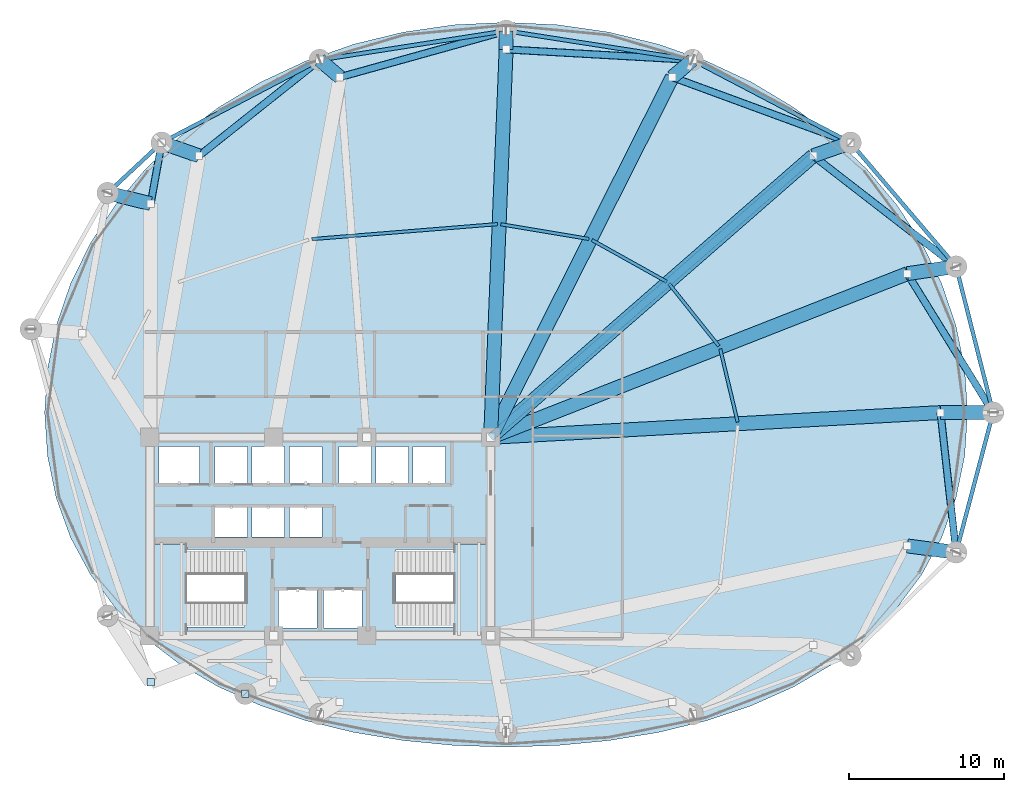
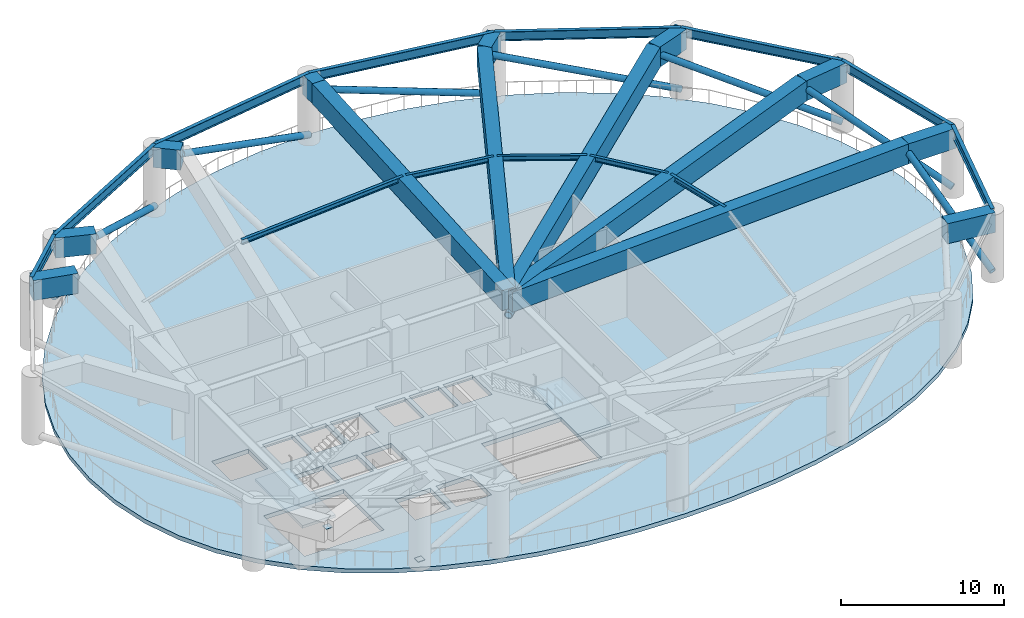
# One storey, part 2 of 9: 27 beams, 9 members, 3 slabs, 2 plates, 2 elements without a shape of their own.
"""IFC4 building model written with IfcOpenShell, lengths in metres."""

from ifc_helpers import new_model, si_unit, direction, frame, origin, origin_2d, place, context, subcontext, project, spatial, polyline, rectangle, hollow_circle, i_section, outline, extrude, material, layer, layer_set, material_profile, profile_set, type_object, element, aggregate, save


model = new_model("IFC4")

# Units and contexts
model_context = context("Model", 3, precision=1e-05, world=origin(), true_north=direction((0.0, 1.0)))
body_context = subcontext(model_context, "Body", "Model", "MODEL_VIEW")
ifc_project = project(units=[si_unit("LENGTHUNIT", "METRE"), si_unit("AREAUNIT", "SQUARE_METRE"), si_unit("VOLUMEUNIT", "CUBIC_METRE"), si_unit("PLANEANGLEUNIT", "RADIAN"), si_unit("MASSUNIT", "GRAM", prefix="KILO")], contexts=[model_context])

# Site, building, storey
site_placement = place(None, origin())
site = spatial("IfcSite", under=ifc_project, at=site_placement, CompositionType="ELEMENT")
building_placement = place(site_placement, origin())
building = spatial("IfcBuilding", under=site, at=building_placement, Name="Kazevale Care Tower and Concert Hall", CompositionType="ELEMENT")
storey_placement = place(building_placement, frame((0.0, 0.0, 92.39990234375)))
storey = spatial("IfcBuildingStorey", under=building, at=storey_placement, Name="L24", CompositionType="ELEMENT", Elevation=92.39990234375)

# Members
ifc_material_1 = material(Name="Steel ASTM A572 Gr 50", Category="steel")
ifc_material_profile_1 = material_profile(ifc_material_1, hollow_circle(Radius=0.228515625, WallThickness=0.028076171875, at=origin_2d()), Name="CHS457x28")
ifc_profile_set_1 = profile_set([ifc_material_profile_1], Name="Steel ASTM A572 Gr 50")
member_type_1 = type_object("IfcMemberType", Name="Belt Truss Diagonal CHS457x28", PredefinedType="BRACE", material=ifc_profile_set_1)
member_1_placement = place(storey_placement, frame((76.449951171875, 38.0, 0.400146484375), z_axis=(-0.489276874643, 0.792196441532, 0.364736806428), x_axis=(-0.850808045882, -0.525476611337, 0.0)))
element("IfcMember", 1, at=member_1_placement, inside=storey, type_object=member_type_1, Name="brace:L24:belt:01", PredefinedType="BRACE", context=body_context, shape_type="SweptSolid", body=[
    extrude(hollow_circle(Radius=0.228515625, WallThickness=0.028076171875, at=origin_2d()), origin(), (0.0, 0.0, 1.0), 11.322998046875),
])
member_2_placement = place(storey_placement, frame((74.06005859375, 47.429931640625, 0.400146484375), z_axis=(-0.745291609515, 0.577351620586, 0.333474921086), x_axis=(-0.612406392804, -0.790543110812, 0.0)))
element("IfcMember", 2, at=member_2_placement, inside=storey, type_object=member_type_1, Name="brace:L24:belt:02", PredefinedType="BRACE", context=body_context, shape_type="SweptSolid", body=[
    extrude(hollow_circle(Radius=0.228515625, WallThickness=0.028076171875, at=origin_2d()), origin(), (0.0, 0.0, 1.0), 12.38427734375),
])
member_3_placement = place(storey_placement, frame((67.239990234375, 55.429931640625, 0.400146484375), z_axis=(-0.889529512047, 0.326906105117, 0.319170245536), x_axis=(-0.344947771831, -0.938621880583, 0.0)))
element("IfcMember", 3, at=member_3_placement, inside=storey, type_object=member_type_1, Name="brace:L24:belt:03", PredefinedType="BRACE", context=body_context, shape_type="SweptSolid", body=[
    extrude(hollow_circle(Radius=0.228515625, WallThickness=0.028076171875, at=origin_2d()), origin(), (0.0, 0.0, 1.0), 12.939453125),
])
member_4_placement = place(storey_placement, frame((57.0400390625, 60.77001953125, 0.400146484375), z_axis=(-0.944554233126, 0.053341380876, 0.323993823659), x_axis=(-0.056382709564, -0.998409229756, 0.0)))
element("IfcMember", 4, at=member_4_placement, inside=storey, type_object=member_type_1, Name="brace:L24:belt:04", PredefinedType="BRACE", context=body_context, shape_type="SweptSolid", body=[
    extrude(hollow_circle(Radius=0.228515625, WallThickness=0.028076171875, at=origin_2d()), origin(), (0.0, 0.0, 1.0), 12.746826171875),
])
member_5_placement = place(storey_placement, frame((45.0, 62.64990234375, 0.400146484375), z_axis=(-0.903216034004, -0.25168798108, 0.347640555887), x_axis=(0.268430564069, -0.963299035748, 0.0)))
element("IfcMember", 5, at=member_5_placement, inside=storey, type_object=member_type_1, Name="brace:L24:belt:05", PredefinedType="BRACE", context=body_context, shape_type="SweptSolid", body=[
    extrude(hollow_circle(Radius=0.228515625, WallThickness=0.028076171875, at=origin_2d()), origin(), (0.0, 0.0, 1.0), 11.879638671875),
])
member_6_placement = place(storey_placement, frame((32.9599609375, 60.77001953125, 0.400146484375), z_axis=(-0.72311239822, -0.574582917904, 0.383357444161), x_axis=(0.622112257314, -0.782928054996, 0.0)))
element("IfcMember", 6, at=member_6_placement, inside=storey, type_object=member_type_1, Name="brace:L24:belt:06", PredefinedType="BRACE", context=body_context, shape_type="SweptSolid", body=[
    extrude(hollow_circle(Radius=0.228515625, WallThickness=0.028076171875, at=origin_2d()), origin(), (0.0, 0.0, 1.0), 10.77294921875),
])
member_7_placement = place(storey_placement, frame((22.760009765625, 55.429931640625, 0.400146484375), z_axis=(-0.123432992417, -0.684993683505, 0.718016678038), x_axis=(0.984149707528, -0.17733965482, 0.0)))
element("IfcMember", 7, at=member_7_placement, inside=storey, type_object=member_type_1, Name="brace:L24:belt:07", PredefinedType="BRACE", context=body_context, shape_type="SweptSolid", body=[
    extrude(hollow_circle(Radius=0.228515625, WallThickness=0.028076171875, at=origin_2d()), origin(), (0.0, 0.0, 1.0), 5.751708984375),
])
member_8_placement = place(storey_placement, frame((74.06005859375, 28.969970703125, 0.400146484375), z_axis=(-0.101194706557, 0.904734979799, 0.41378043416), x_axis=(-0.993802862974, -0.111156959043, 0.0)))
element("IfcMember", 8, at=member_8_placement, inside=storey, type_object=member_type_1, Name="brace:L24:belt:16", PredefinedType="BRACE", context=body_context, shape_type="SweptSolid", body=[
    extrude(hollow_circle(Radius=0.228515625, WallThickness=0.028076171875, at=origin_2d()), origin(), (0.0, 0.0, 1.0), 9.98095703125),
])
ifc_material_profile_2 = material_profile(ifc_material_1, hollow_circle(Radius=0.25390625, WallThickness=0.031982421875, at=origin_2d()), Name="CHS508x32")
ifc_profile_set_2 = profile_set([ifc_material_profile_2], Name="Steel ASTM A572 Gr 50")
member_type_2 = type_object("IfcMemberType", Name="Outrigger Diagonal CHS508x32", PredefinedType="BRACE", material=ifc_profile_set_2)
member_9_placement = place(storey_placement, frame((44.0, 36.39990234375, 3.10009765625), z_axis=(0.752397568921, 0.65668116933, 0.051650170665), x_axis=(-0.657558853149, 0.753403181998, 0.0)))
element("IfcMember", 9, at=member_9_placement, inside=storey, type_object=member_type_2, Name="brace:L24:outrig:1", PredefinedType="BRACE", context=body_context, shape_type="SweptSolid", body=[
    extrude(hollow_circle(Radius=0.25390625, WallThickness=0.031982421875, at=origin_2d()), origin(), (0.0, 0.0, 1.0), 27.684814453125),
])

# Beams
ifc_material_2 = material(Name="Concrete C60", Category="concrete")
ifc_material_profile_3 = material_profile(ifc_material_2, rectangle(XDim=0.89990234375, YDim=1.5, at=origin_2d()), Name="RC-TG900x1500")
ifc_profile_set_3 = profile_set([ifc_material_profile_3], Name="Concrete C60")
beam_type_1 = type_object("IfcBeamType", Name="Podium Transfer Girder RC900x1500", PredefinedType="BEAM", material=ifc_profile_set_3)
beam_1_placement = place(storey_placement, frame((44.0, 36.39990234375, 4.330078125), z_axis=(0.998486500016, 0.054997357076, 0.0), x_axis=(-0.054997357076, 0.998486500016, 0.0)))
element("IfcBeam", 10, at=beam_1_placement, inside=storey, type_object=beam_type_1, Name="beam:L24:ztg_in:01", PredefinedType="BEAM", context=body_context, shape_type="SweptSolid", body=[
    extrude(rectangle(XDim=0.89990234375, YDim=1.5, at=origin_2d()), origin(), (0.0, 0.0, 1.0), 29.093994140625),
])
beam_2_placement = place(storey_placement, frame((73.050048828125, 38.0, 4.330078125), z_axis=(1.0, 0.0, 0.0), x_axis=(0.0, 1.0, 0.0)))
element("IfcBeam", 11, at=beam_2_placement, inside=storey, type_object=beam_type_1, Name="beam:L24:ztg_out:01", PredefinedType="BEAM", context=body_context, shape_type="SweptSolid", body=[
    extrude(rectangle(XDim=0.89990234375, YDim=1.5, at=origin_2d()), origin(), (0.0, 0.0, 1.0), 3.39990234375),
])
beam_3_placement = place(storey_placement, frame((44.0, 36.39990234375, 4.330078125), z_axis=(0.930771301513, 0.36560194786, 0.0), x_axis=(-0.36560194786, 0.930771301513, 0.0)))
element("IfcBeam", 12, at=beam_3_placement, inside=storey, type_object=beam_type_1, Name="beam:L24:ztg_in:02", PredefinedType="BEAM", context=body_context, shape_type="SweptSolid", body=[
    extrude(rectangle(XDim=0.89990234375, YDim=1.5, at=origin_2d()), origin(), (0.0, 0.0, 1.0), 28.911376953125),
])
beam_4_placement = place(storey_placement, frame((70.909912109375, 46.969970703125, 4.330078125), z_axis=(0.989507642104, 0.144480539233, 0.0), x_axis=(-0.144480539233, 0.989507642104, 0.0)))
element("IfcBeam", 13, at=beam_4_placement, inside=storey, type_object=beam_type_1, Name="beam:L24:ztg_out:02", PredefinedType="BEAM", context=body_context, shape_type="SweptSolid", body=[
    extrude(rectangle(XDim=0.89990234375, YDim=1.5, at=origin_2d()), origin(), (0.0, 0.0, 1.0), 3.18359375),
])
beam_5_placement = place(storey_placement, frame((44.0, 36.39990234375, 4.330078125), z_axis=(0.753403181998, 0.657558853149, 0.0), x_axis=(-0.657558853149, 0.753403181998, 0.0)))
element("IfcBeam", 14, at=beam_5_placement, inside=storey, type_object=beam_type_1, Name="beam:L24:ztg_in:03", PredefinedType="BEAM", context=body_context, shape_type="SweptSolid", body=[
    extrude(rectangle(XDim=0.89990234375, YDim=1.5, at=origin_2d()), origin(), (0.0, 0.0, 1.0), 27.64794921875),
])
beam_6_placement = place(storey_placement, frame((64.830078125, 54.580078125, 4.330078125), z_axis=(0.943076728869, 0.332575229784, 0.0), x_axis=(-0.332575229784, 0.943076728869, 0.0)))
element("IfcBeam", 15, at=beam_6_placement, inside=storey, type_object=beam_type_1, Name="beam:L24:ztg_out:03", PredefinedType="BEAM", context=body_context, shape_type="SweptSolid", body=[
    extrude(rectangle(XDim=0.89990234375, YDim=1.5, at=origin_2d()), origin(), (0.0, 0.0, 1.0), 2.555419921875),
])
beam_7_placement = place(storey_placement, frame((44.0, 36.39990234375, 4.330078125), z_axis=(0.450281187568, 0.892886808124, 0.0), x_axis=(-0.892886808124, 0.450281187568, 0.0)))
element("IfcBeam", 16, at=beam_7_placement, inside=storey, type_object=beam_type_1, Name="beam:L24:ztg_in:04", PredefinedType="BEAM", context=body_context, shape_type="SweptSolid", body=[
    extrude(rectangle(XDim=0.89990234375, YDim=1.5, at=origin_2d()), origin(), (0.0, 0.0, 1.0), 26.05029296875),
])
beam_8_placement = place(storey_placement, frame((55.72998046875, 59.659912109375, 4.330078125), z_axis=(0.762927691331, 0.646483826403, 0.0), x_axis=(-0.646483826403, 0.762927691331, 0.0)))
element("IfcBeam", 17, at=beam_8_placement, inside=storey, type_object=beam_type_1, Name="beam:L24:ztg_out:04", PredefinedType="BEAM", context=body_context, shape_type="SweptSolid", body=[
    extrude(rectangle(XDim=0.89990234375, YDim=1.5, at=origin_2d()), origin(), (0.0, 0.0, 1.0), 1.717041015625),
])
beam_9_placement = place(storey_placement, frame((44.0, 36.39990234375, 4.330078125), z_axis=(0.039888311255, 0.99920414462, 0.0), x_axis=(-0.99920414462, 0.039888311255, 0.0)))
element("IfcBeam", 18, at=beam_9_placement, inside=storey, type_object=beam_type_1, Name="beam:L24:ztg_in:05", PredefinedType="BEAM", context=body_context, shape_type="SweptSolid", body=[
    extrude(rectangle(XDim=0.89990234375, YDim=1.5, at=origin_2d()), origin(), (0.0, 0.0, 1.0), 25.070068359375),
])
beam_10_placement = place(storey_placement, frame((45.0, 61.449951171875, 4.330078125), z_axis=(0.0, 1.0, 0.0), x_axis=(-1.0, 0.0, 0.0)))
element("IfcBeam", 19, at=beam_10_placement, inside=storey, type_object=beam_type_1, Name="beam:L24:ztg_out:05", PredefinedType="BEAM", context=body_context, shape_type="SweptSolid", body=[
    extrude(rectangle(XDim=0.89990234375, YDim=1.5, at=origin_2d()), origin(), (0.0, 0.0, 1.0), 1.199951171875),
])
beam_11_placement = place(storey_placement, frame((34.27001953125, 59.659912109375, 4.330078125), z_axis=(-0.762927691331, 0.646483826403, 0.0), x_axis=(-0.646483826403, -0.762927691331, 0.0)))
element("IfcBeam", 20, at=beam_11_placement, inside=storey, type_object=beam_type_1, Name="beam:L24:ztg_out:06", PredefinedType="BEAM", context=body_context, shape_type="SweptSolid", body=[
    extrude(rectangle(XDim=0.89990234375, YDim=1.5, at=origin_2d()), origin(), (0.0, 0.0, 1.0), 1.717041015625),
])
beam_12_placement = place(storey_placement, frame((25.169921875, 54.580078125, 4.330078125), z_axis=(-0.943076728869, 0.332575229784, 0.0), x_axis=(-0.332575229784, -0.943076728869, 0.0)))
element("IfcBeam", 21, at=beam_12_placement, inside=storey, type_object=beam_type_1, Name="beam:L24:ztg_out:07", PredefinedType="BEAM", context=body_context, shape_type="SweptSolid", body=[
    extrude(rectangle(XDim=0.89990234375, YDim=1.5, at=origin_2d()), origin(), (0.0, 0.0, 1.0), 2.555419921875),
])
beam_13_placement = place(storey_placement, frame((22.050048828125, 51.489990234375, 4.330078125), z_axis=(-0.970557213583, 0.240870702168, 0.0), x_axis=(-0.240870702168, -0.970557213583, 0.0)))
element("IfcBeam", 22, at=beam_13_placement, inside=storey, type_object=beam_type_1, Name="beam:L24:ztg_out:08", PredefinedType="BEAM", context=body_context, shape_type="SweptSolid", body=[
    extrude(rectangle(XDim=0.89990234375, YDim=1.5, at=origin_2d()), origin(), (0.0, 0.0, 1.0), 2.8642578125),
])
beam_14_placement = place(storey_placement, frame((70.909912109375, 29.389892578125, 4.330078125), z_axis=(0.99123192582, -0.132133528049, 0.0), x_axis=(0.132133528049, 0.99123192582, 0.0)))
element("IfcBeam", 23, at=beam_14_placement, inside=storey, type_object=beam_type_1, Name="beam:L24:ztg_out:16", PredefinedType="BEAM", context=body_context, shape_type="SweptSolid", body=[
    extrude(rectangle(XDim=0.89990234375, YDim=1.5, at=origin_2d()), origin(), (0.0, 0.0, 1.0), 3.177978515625),
])
ifc_material_profile_4 = material_profile(ifc_material_1, i_section(OverallWidth=0.205078125, OverallDepth=0.35400390625, WebThickness=0.009521484375, FlangeThickness=0.016845703125, at=origin_2d()), Name="W360x79")
ifc_profile_set_4 = profile_set([ifc_material_profile_4], Name="Steel ASTM A572 Gr 50")
beam_type_2 = type_object("IfcBeamType", Name="Secondary Floor Joist W360x79", PredefinedType="JOIST", material=ifc_profile_set_4)
beam_15_placement = place(storey_placement, frame((59.952880859375, 37.382080078125, 4.903076171875), z_axis=(-0.232005223279, 0.972714540023, 0.0), x_axis=(-0.972714540023, -0.232005223279, 0.0)))
element("IfcBeam", 24, at=beam_15_placement, inside=storey, type_object=beam_type_2, Name="beam:L24:joist:01", PredefinedType="JOIST", context=body_context, shape_type="SweptSolid", body=[
    extrude(i_section(OverallWidth=0.205078125, OverallDepth=0.35400390625, WebThickness=0.009521484375, FlangeThickness=0.016845703125, at=origin_2d()), origin(), (0.0, 0.0, 1.0), 4.861572265625),
])
beam_16_placement = place(storey_placement, frame((58.735107421875, 42.2958984375, 4.903076171875), z_axis=(-0.624261115922, 0.781215757104, 0.0), x_axis=(-0.781215757104, -0.624261115922, 0.0)))
element("IfcBeam", 25, at=beam_16_placement, inside=storey, type_object=beam_type_2, Name="beam:L24:joist:02", PredefinedType="JOIST", context=body_context, shape_type="SweptSolid", body=[
    extrude(i_section(OverallWidth=0.205078125, OverallDepth=0.35400390625, WebThickness=0.009521484375, FlangeThickness=0.016845703125, at=origin_2d()), origin(), (0.0, 0.0, 1.0), 5.147216796875),
])
beam_17_placement = place(storey_placement, frame((55.364990234375, 46.449951171875, 4.903076171875), z_axis=(-0.873137755824, 0.487473547338, 0.0), x_axis=(-0.487473547338, -0.873137755824, 0.0)))
element("IfcBeam", 26, at=beam_17_placement, inside=storey, type_object=beam_type_2, Name="beam:L24:joist:03", PredefinedType="JOIST", context=body_context, shape_type="SweptSolid", body=[
    extrude(i_section(OverallWidth=0.205078125, OverallDepth=0.35400390625, WebThickness=0.009521484375, FlangeThickness=0.016845703125, at=origin_2d()), origin(), (0.0, 0.0, 1.0), 5.522705078125),
])
beam_18_placement = place(storey_placement, frame((50.347900390625, 49.2099609375, 4.903076171875), z_axis=(-0.986366476547, 0.164563586324, 0.0), x_axis=(-0.164563586324, -0.986366476547, 0.0)))
element("IfcBeam", 27, at=beam_18_placement, inside=storey, type_object=beam_type_2, Name="beam:L24:joist:04", PredefinedType="JOIST", context=body_context, shape_type="SweptSolid", body=[
    extrude(i_section(OverallWidth=0.205078125, OverallDepth=0.35400390625, WebThickness=0.009521484375, FlangeThickness=0.016845703125, at=origin_2d()), origin(), (0.0, 0.0, 1.0), 5.7724609375),
])
beam_19_placement = place(storey_placement, frame((44.445068359375, 50.1689453125, 4.903076171875), z_axis=(-0.996757920635, -0.080458981175, 0.0), x_axis=(0.080458981175, -0.996757920635, 0.0)))
element("IfcBeam", 28, at=beam_19_placement, inside=storey, type_object=beam_type_2, Name="beam:L24:joist:05", PredefinedType="JOIST", context=body_context, shape_type="SweptSolid", body=[
    extrude(i_section(OverallWidth=0.205078125, OverallDepth=0.35400390625, WebThickness=0.009521484375, FlangeThickness=0.016845703125, at=origin_2d()), origin(), (0.0, 0.0, 1.0), 12.03125),
])
ifc_material_profile_5 = material_profile(ifc_material_1, i_section(OverallWidth=0.256103515625, OverallDepth=0.693115234375, WebThickness=0.014404296875, FlangeThickness=0.023681640625, at=origin_2d()), Name="W690x170")
ifc_profile_set_5 = profile_set([ifc_material_profile_5], Name="Steel ASTM A572 Gr 50")
beam_type_3 = type_object("IfcBeamType", Name="Waist Ring Beam W690x170", PredefinedType="BEAM", material=ifc_profile_set_5)
beam_20_placement = place(storey_placement, frame((76.449951171875, 38.0, 4.733642578125), z_axis=(-0.245669948409, 0.969353535326, 0.0), x_axis=(-0.969353535326, -0.245669948409, 0.0)))
element("IfcBeam", 29, at=beam_20_placement, inside=storey, type_object=beam_type_3, Name="beam:L24:ring:01", PredefinedType="BEAM", context=body_context, shape_type="SweptSolid", body=[
    extrude(i_section(OverallWidth=0.256103515625, OverallDepth=0.693115234375, WebThickness=0.014404296875, FlangeThickness=0.023681640625, at=origin_2d()), origin(), (0.0, 0.0, 1.0), 9.72802734375),
])
beam_21_placement = place(storey_placement, frame((74.06005859375, 47.429931640625, 4.733642578125), z_axis=(-0.648756004283, 0.760996482848, 0.0), x_axis=(-0.760996482848, -0.648756004283, 0.0)))
element("IfcBeam", 30, at=beam_21_placement, inside=storey, type_object=beam_type_3, Name="beam:L24:ring:02", PredefinedType="BEAM", context=body_context, shape_type="SweptSolid", body=[
    extrude(i_section(OverallWidth=0.256103515625, OverallDepth=0.693115234375, WebThickness=0.014404296875, FlangeThickness=0.023681640625, at=origin_2d()), origin(), (0.0, 0.0, 1.0), 10.512451171875),
])
beam_22_placement = place(storey_placement, frame((67.239990234375, 55.429931640625, 4.733642578125), z_axis=(-0.885929466679, 0.463819986708, 0.0), x_axis=(-0.463819986708, -0.885929466679, 0.0)))
element("IfcBeam", 31, at=beam_22_placement, inside=storey, type_object=beam_type_3, Name="beam:L24:ring:03", PredefinedType="BEAM", context=body_context, shape_type="SweptSolid", body=[
    extrude(i_section(OverallWidth=0.256103515625, OverallDepth=0.693115234375, WebThickness=0.014404296875, FlangeThickness=0.023681640625, at=origin_2d()), origin(), (0.0, 0.0, 1.0), 11.51318359375),
])
for number, where, z_axis, x_axis, name in (
    (32, (57.0400390625, 60.77001953125, 4.733642578125), (-0.988029216561, 0.154266870134, 0.0), (-0.154266870134, -0.988029216561, 0.0), "beam:L24:ring:04"),
    (33, (45.0, 62.64990234375, 4.733642578125), (-0.988029216561, -0.154266870134, 0.0), (0.154266870134, -0.988029216561, 0.0), "beam:L24:ring:05"),
):
    element("IfcBeam", number, at=place(storey_placement, frame(where, z_axis=z_axis, x_axis=x_axis)), inside=storey, type_object=beam_type_3, Name=name, PredefinedType="BEAM", context=body_context, shape_type="SweptSolid", body=[
        extrude(i_section(OverallWidth=0.256103515625, OverallDepth=0.693115234375, WebThickness=0.014404296875, FlangeThickness=0.023681640625, at=origin_2d()), origin(), (0.0, 0.0, 1.0), 12.18603515625),
    ])
beam_23_placement = place(storey_placement, frame((32.9599609375, 60.77001953125, 4.733642578125), z_axis=(-0.885929466679, -0.463819986708, 0.0), x_axis=(0.463819986708, -0.885929466679, 0.0)))
element("IfcBeam", 34, at=beam_23_placement, inside=storey, type_object=beam_type_3, Name="beam:L24:ring:06", PredefinedType="BEAM", context=body_context, shape_type="SweptSolid", body=[
    extrude(i_section(OverallWidth=0.256103515625, OverallDepth=0.693115234375, WebThickness=0.014404296875, FlangeThickness=0.023681640625, at=origin_2d()), origin(), (0.0, 0.0, 1.0), 11.51318359375),
])
beam_24_placement = place(storey_placement, frame((22.760009765625, 55.429931640625, 4.733642578125), z_axis=(-0.731820896228, -0.681497010884, 0.0), x_axis=(0.681497010884, -0.731820896228, 0.0)))
element("IfcBeam", 35, at=beam_24_placement, inside=storey, type_object=beam_type_3, Name="beam:L24:ring:07", PredefinedType="BEAM", context=body_context, shape_type="SweptSolid", body=[
    extrude(i_section(OverallWidth=0.256103515625, OverallDepth=0.693115234375, WebThickness=0.014404296875, FlangeThickness=0.023681640625, at=origin_2d()), origin(), (0.0, 0.0, 1.0), 4.768798828125),
])
beam_25_placement = place(storey_placement, frame((74.06005859375, 28.969970703125, 4.733642578125), z_axis=(0.255851611973, 0.966716066201, 0.0), x_axis=(-0.966716066201, 0.255851611973, 0.0)))
element("IfcBeam", 36, at=beam_25_placement, inside=storey, type_object=beam_type_3, Name="beam:L24:ring:16", PredefinedType="BEAM", context=body_context, shape_type="SweptSolid", body=[
    extrude(i_section(OverallWidth=0.256103515625, OverallDepth=0.693115234375, WebThickness=0.014404296875, FlangeThickness=0.023681640625, at=origin_2d()), origin(), (0.0, 0.0, 1.0), 9.3408203125),
])

# Plates
ifc_layer_1 = layer(ifc_material_1, 0.02490234375)
ifc_layer_set_1 = layer_set([ifc_layer_1], Name="Steel ASTM A572 Gr 50")
plate_type = type_object("IfcPlateType", Name="Hollow Section End Cap Plate 25mm", PredefinedType="USERDEFINED", material=ifc_layer_set_1)
for number, where, z_axis, x_axis, name in (
    (37, (22.050048828125, 20.60009765625, 4.517578125), (0.0, 0.0, 1.0), (1.0, 0.0, 0.0), "brace:L24:belt:09:cap1"),
    (38, (28.14990234375, 19.85009765625, 0.3876953125), (0.0, 0.0, 1.0), (1.0, 0.0, 0.0), "brace:L24:belt:11:cap0"),
):
    element("IfcPlate", number, at=place(storey_placement, frame(where, z_axis=z_axis, x_axis=x_axis)), inside=storey, type_object=plate_type, Name=name, ObjectType="END_CAP_PLATE", PredefinedType="USERDEFINED", context=body_context, shape_type="SweptSolid", body=[
        extrude(rectangle(XDim=0.47998046875, YDim=0.47998046875, at=origin_2d()), origin(), (0.0, 0.0, 1.0), 0.02490234375),
    ])

# Stair, slab
ifc_material_3 = material(Name="Concrete C40", Category="concrete")
stair_type = type_object("IfcStairType", Name="Exit Stair Assembly ST1-W", PredefinedType="HALF_TURN_STAIR", material=ifc_material_3)
stair_1_placement = place(storey_placement, origin())
stair_1 = element("IfcStair", 39, at=stair_1_placement, inside=storey, type_object=stair_type, Name="stair:L24:ST1", PredefinedType="HALF_TURN_STAIR")
ifc_layer_2 = layer(ifc_material_3, 0.199951171875)
ifc_layer_set_2 = layer_set([ifc_layer_2], Name="Concrete C40")
slab_type_1 = type_object("IfcSlabType", Name="Stair Half-Landing Slab ST1-W", PredefinedType="LANDING", material=ifc_layer_set_2)
slab_1_placement = place(storey_placement, frame((0.0, 0.0, 2.5)))
slab_1 = element("IfcSlab", 40, at=slab_1_placement, type_object=slab_type_1, Name="ST1-W landing 1", PredefinedType="LANDING", context=body_context, shape_type="SweptSolid", body=[
    extrude(outline(polyline([(22.050048828125, 23.699951171875), (24.409912109375, 23.699951171875), (24.409912109375, 29.5), (22.050048828125, 29.5), (22.050048828125, 23.699951171875)])), origin(), (0.0, 0.0, 1.0), 0.2001953125),
])
aggregate(stair_1, [slab_1])

stair_2_placement = place(storey_placement, origin())
stair_2 = element("IfcStair", 41, at=stair_2_placement, inside=storey, type_object=stair_type, Name="stair:L24:ST2", PredefinedType="HALF_TURN_STAIR")
slab_2_placement = place(storey_placement, frame((0.0, 0.0, 2.5)))
slab_2 = element("IfcSlab", 42, at=slab_2_placement, type_object=slab_type_1, Name="ST1-W landing 1", PredefinedType="LANDING", context=body_context, shape_type="SweptSolid", body=[
    extrude(outline(polyline([(41.590087890625, 23.699951171875), (43.949951171875, 23.699951171875), (43.949951171875, 29.5), (41.590087890625, 29.5), (41.590087890625, 23.699951171875)])), origin(), (0.0, 0.0, 1.0), 0.2001953125),
])
aggregate(stair_2, [slab_2])

# Slab
ifc_material_4 = material(Name="Concrete C50", Category="concrete")
ifc_layer_3 = layer(ifc_material_4, 0.320068359375)
ifc_layer_set_3 = layer_set([ifc_layer_3], Name="Concrete C50")
slab_type_2 = type_object("IfcSlabType", Name="Transfer & Refuge Floor Slab 320", PredefinedType="FLOOR", material=ifc_layer_set_3)
slab_3_placement = place(storey_placement, frame((0.0, 0.0, -0.31982421875)))
element("IfcSlab", 43, at=slab_3_placement, inside=storey, type_object=slab_type_2, Name="slab:L24:tw:1", PredefinedType="FLOOR", context=body_context, shape_type="SweptSolid", body=[
    extrude(outline(polyline([(74.800048828125, 38.0), (74.612548828125, 40.821533203125), (74.052978515625, 43.607421875), (73.127685546875, 46.322998046875), (71.848876953125, 48.933837890625), (70.232421875, 51.4072265625), (68.298583984375, 53.7119140625), (66.07177734375, 55.819091796875), (63.580078125, 57.7021484375), (60.8544921875, 59.33740234375), (57.9296875, 60.704345703125), (54.84228515625, 61.785888671875), (51.631103515625, 62.568115234375), (48.33642578125, 63.04150390625), (45.0, 63.199951171875), (41.66357421875, 63.04150390625), (38.368896484375, 62.568115234375), (35.15771484375, 61.785888671875), (32.0703125, 60.704345703125), (29.1455078125, 59.33740234375), (26.419921875, 57.7021484375), (23.92822265625, 55.819091796875), (21.701416015625, 53.7119140625), (19.767578125, 51.4072265625), (18.151123046875, 48.933837890625), (16.872314453125, 46.322998046875), (15.947021484375, 43.607421875), (15.387451171875, 40.821533203125), (15.199951171875, 38.0), (15.387451171875, 35.197265625), (15.947021484375, 32.490234375), (16.872314453125, 29.92919921875), (18.151123046875, 27.551513671875), (19.767578125, 25.384521484375), (21.701416015625, 23.446533203125), (23.92822265625, 21.747802734375), (26.419921875, 20.2919921875), (29.1455078125, 19.077392578125), (32.0703125, 18.098388671875), (35.15771484375, 17.34814453125), (38.368896484375, 16.819091796875), (41.66357421875, 16.50439453125), (45.0, 16.39990234375), (48.33642578125, 16.50439453125), (51.631103515625, 16.819091796875), (54.84228515625, 17.34814453125), (57.9296875, 18.098388671875), (60.8544921875, 19.077392578125), (63.580078125, 20.2919921875), (66.07177734375, 21.747802734375), (68.298583984375, 23.446533203125), (70.232421875, 25.384521484375), (71.848876953125, 27.551513671875), (73.127685546875, 29.92919921875), (74.052978515625, 32.490234375), (74.612548828125, 35.197265625), (74.800048828125, 38.0)]), holes=[polyline([(22.449951171875, 24.14990234375), (28.110107421875, 24.14990234375), (28.110107421875, 29.14990234375), (22.449951171875, 29.14990234375), (22.449951171875, 24.14990234375)]), polyline([(37.889892578125, 24.14990234375), (43.550048828125, 24.14990234375), (43.550048828125, 29.14990234375), (37.889892578125, 29.14990234375), (37.889892578125, 24.14990234375)]), polyline([(30.300048828125, 24.10009765625), (32.800048828125, 24.10009765625), (32.800048828125, 26.60009765625), (30.300048828125, 26.60009765625), (30.300048828125, 24.10009765625)]), polyline([(33.199951171875, 24.10009765625), (35.699951171875, 24.10009765625), (35.699951171875, 26.60009765625), (33.199951171875, 26.60009765625), (33.199951171875, 24.10009765625)]), polyline([(22.60009765625, 33.39990234375), (25.199951171875, 33.39990234375), (25.199951171875, 35.800048828125), (22.60009765625, 35.800048828125), (22.60009765625, 33.39990234375)]), polyline([(26.199951171875, 33.39990234375), (28.300048828125, 33.39990234375), (28.300048828125, 35.800048828125), (26.199951171875, 35.800048828125), (26.199951171875, 33.39990234375)]), polyline([(28.60009765625, 33.39990234375), (30.699951171875, 33.39990234375), (30.699951171875, 35.800048828125), (28.60009765625, 35.800048828125), (28.60009765625, 33.39990234375)]), polyline([(31.0, 33.39990234375), (33.10009765625, 33.39990234375), (33.10009765625, 35.800048828125), (31.0, 35.800048828125), (31.0, 33.39990234375)]), polyline([(34.199951171875, 33.39990234375), (36.300048828125, 33.39990234375), (36.300048828125, 35.800048828125), (34.199951171875, 35.800048828125), (34.199951171875, 33.39990234375)]), polyline([(36.60009765625, 33.39990234375), (38.699951171875, 33.39990234375), (38.699951171875, 35.800048828125), (36.60009765625, 35.800048828125), (36.60009765625, 33.39990234375)]), polyline([(39.0, 33.39990234375), (41.10009765625, 33.39990234375), (41.10009765625, 35.800048828125), (39.0, 35.800048828125), (39.0, 33.39990234375)]), polyline([(26.199951171875, 29.949951171875), (28.300048828125, 29.949951171875), (28.300048828125, 31.949951171875), (26.199951171875, 31.949951171875), (26.199951171875, 29.949951171875)]), polyline([(28.60009765625, 29.949951171875), (30.699951171875, 29.949951171875), (30.699951171875, 31.949951171875), (28.60009765625, 31.949951171875), (28.60009765625, 29.949951171875)]), polyline([(31.0, 29.949951171875), (33.10009765625, 29.949951171875), (33.10009765625, 31.949951171875), (31.0, 31.949951171875), (31.0, 29.949951171875)])]), origin(), (0.0, 0.0, 1.0), 0.31982421875),
])

save(model, "model.ifc")
